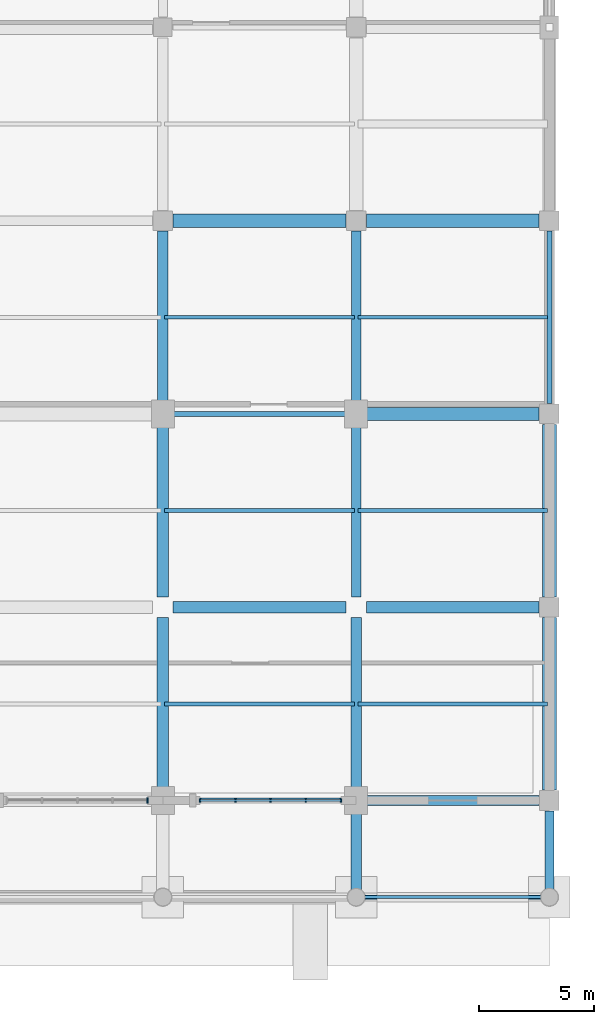
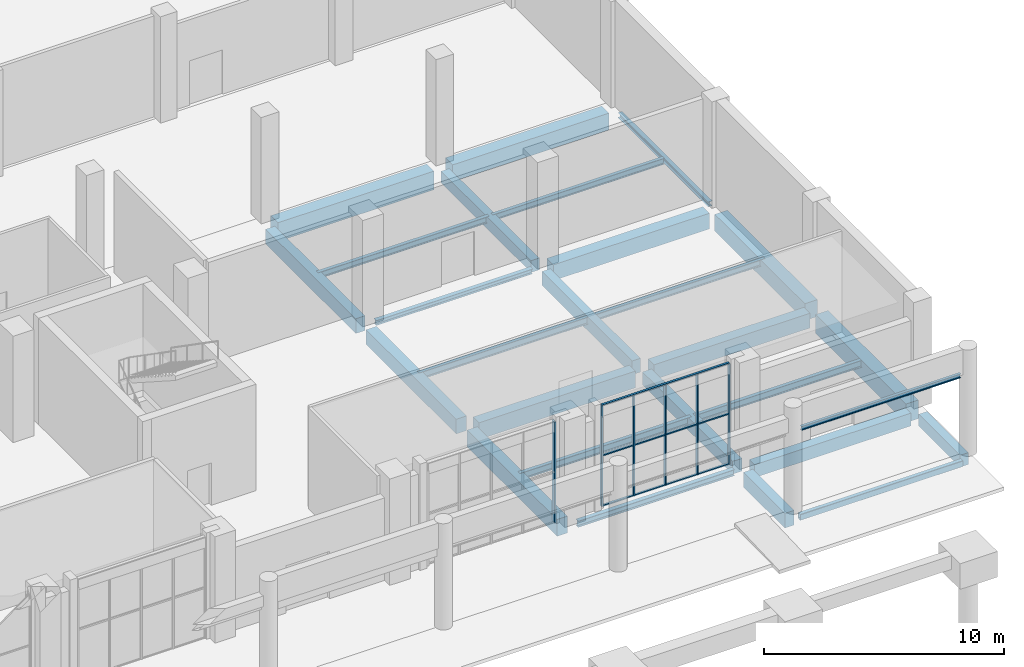
# One storey, part 50 of 82: 27 beams, 9 members, 2 elements without a shape of their own.
"""IFC4 building model written with IfcOpenShell, lengths in metres."""

from ifc_helpers import new_model, si_unit, derived_unit, direction, frame, origin, origin_2d, place, context, subcontext, project, spatial, rectangle, hollow_rectangle, i_section, extrude, material, material_profile, profile_set, type_object, element, aggregate, save


model = new_model("IFC4")

# Units and contexts
model_context = context("Model", 3, precision=1e-05, world=origin(), true_north=direction((0.0, 1.0)))
body_context = subcontext(model_context, "Body", "Model", "MODEL_VIEW")
ifc_project = project(units=[si_unit("LENGTHUNIT", "METRE"), si_unit("AREAUNIT", "SQUARE_METRE"), si_unit("VOLUMEUNIT", "CUBIC_METRE"), si_unit("PLANEANGLEUNIT", "RADIAN"), si_unit("MASSUNIT", "GRAM", prefix="KILO"), derived_unit("THERMALTRANSMITTANCEUNIT", [(si_unit("POWERUNIT", "WATT"), 1), (si_unit("LENGTHUNIT", "METRE"), -2), (si_unit("THERMODYNAMICTEMPERATUREUNIT", "KELVIN"), -1)])], contexts=[model_context])

# Site, building, storey
site_placement = place(None, origin())
site = spatial("IfcSite", under=ifc_project, at=site_placement, CompositionType="ELEMENT")
building_placement = place(site_placement, origin())
building = spatial("IfcBuilding", under=site, at=building_placement, Name="Barrovel Congress Hotel", CompositionType="ELEMENT")
storey_placement = place(building_placement, origin())
storey = spatial("IfcBuildingStorey", under=building, at=storey_placement, Name="L00", CompositionType="ELEMENT", Elevation=0.0)

# Beams
ifc_material_1 = material(Name="Concrete C40", Category="concrete")
ifc_material_profile_1 = material_profile(ifc_material_1, rectangle(XDim=0.39990234375, YDim=0.60009765625, at=origin_2d()), Name="RC400x600")
ifc_profile_set_1 = profile_set([ifc_material_profile_1], Name="Concrete C40")
beam_type_1 = type_object("IfcBeamType", Name="BM-RC400x600", PredefinedType="BEAM", material=ifc_profile_set_1)
beam_1_placement = place(storey_placement, frame((168.0, 21.449951171875, -0.6201171875), z_axis=(0.0, 1.0, 0.0), x_axis=(-1.0, 0.0, 0.0)))
element("IfcBeam", 1, at=beam_1_placement, inside=storey, type_object=beam_type_1, Name="BMY:L00:168.0:21.0-29.4", PredefinedType="BEAM", context=body_context, shape_type="SweptSolid", body=[
    extrude(rectangle(XDim=0.39990234375, YDim=0.60009765625, at=origin_2d()), origin(), (0.0, 0.0, 1.0), 7.5),
])
beam_2_placement = place(storey_placement, frame((176.39990234375, 0.300048828125, -0.6201171875), z_axis=(0.0, 1.0, 0.0), x_axis=(-1.0, 0.0, 0.0)))
element("IfcBeam", 2, at=beam_2_placement, inside=storey, type_object=beam_type_1, Name="BMY:L00:176.4:0.0-4.2", PredefinedType="BEAM", context=body_context, shape_type="SweptSolid", body=[
    extrude(rectangle(XDim=0.39990234375, YDim=0.60009765625, at=origin_2d()), origin(), (0.0, 0.0, 1.0), 3.449951171875),
])
ifc_material_profile_2 = material_profile(ifc_material_1, rectangle(XDim=0.39990234375, YDim=0.699951171875, at=origin_2d()), Name="RC400x700")
ifc_profile_set_2 = profile_set([ifc_material_profile_2], Name="Concrete C40")
beam_type_2 = type_object("IfcBeamType", Name="BM-RC400x700", PredefinedType="BEAM", material=ifc_profile_set_2)
beam_3_placement = place(storey_placement, frame((168.0, 13.050048828125, -0.669921875), z_axis=(0.0, 1.0, 0.0), x_axis=(-1.0, 0.0, 0.0)))
element("IfcBeam", 3, at=beam_3_placement, inside=storey, type_object=beam_type_2, Name="BMY:L00:168.0:12.6-21.0", PredefinedType="BEAM", context=body_context, shape_type="SweptSolid", body=[
    extrude(rectangle(XDim=0.39990234375, YDim=0.699951171875, at=origin_2d()), origin(), (0.0, 0.0, 1.0), 7.5),
])
ifc_material_profile_3 = material_profile(ifc_material_1, rectangle(XDim=0.449951171875, YDim=0.64990234375, at=origin_2d()), Name="RC450x650")
ifc_profile_set_3 = profile_set([ifc_material_profile_3], Name="Concrete C40")
beam_type_3 = type_object("IfcBeamType", Name="BM-RC450x650", PredefinedType="BEAM", material=ifc_profile_set_3)
for number, where, z_axis, x_axis, name in (
    (4, (168.449951171875, 4.199951171875, -0.64501953125), (1.0, 0.0, 0.0), (0.0, 1.0, 0.0), "BMX:L00:4.2:168.0-176.4"),
    (5, (168.0, 4.64990234375, -0.64501953125), (0.0, 1.0, 0.0), (-1.0, 0.0, 0.0), "BMY:L00:168.0:4.2-12.6"),
):
    element("IfcBeam", number, at=place(storey_placement, frame(where, z_axis=z_axis, x_axis=x_axis)), inside=storey, type_object=beam_type_3, Name=name, PredefinedType="BEAM", context=body_context, shape_type="SweptSolid", body=[
        extrude(rectangle(XDim=0.449951171875, YDim=0.64990234375, at=origin_2d()), origin(), (0.0, 0.0, 1.0), 7.5),
    ])
ifc_material_profile_4 = material_profile(ifc_material_1, rectangle(XDim=0.449951171875, YDim=0.75, at=origin_2d()), Name="RC450x750")
ifc_profile_set_4 = profile_set([ifc_material_profile_4], Name="Concrete C40")
beam_type_4 = type_object("IfcBeamType", Name="BM-RC450x750", PredefinedType="BEAM", material=ifc_profile_set_4)
beam_4_placement = place(storey_placement, frame((159.60009765625, 21.449951171875, -0.695068359375), z_axis=(0.0, 1.0, 0.0), x_axis=(-1.0, 0.0, 0.0)))
element("IfcBeam", 6, at=beam_4_placement, inside=storey, type_object=beam_type_4, Name="BMY:L00:159.6:21.0-29.4", PredefinedType="BEAM", context=body_context, shape_type="SweptSolid", body=[
    extrude(rectangle(XDim=0.449951171875, YDim=0.75, at=origin_2d()), origin(), (0.0, 0.0, 1.0), 7.5),
])
beam_5_placement = place(storey_placement, frame((168.0, 0.300048828125, -0.695068359375), z_axis=(0.0, 1.0, 0.0), x_axis=(-1.0, 0.0, 0.0)))
element("IfcBeam", 7, at=beam_5_placement, inside=storey, type_object=beam_type_4, Name="BMY:L00:168.0:0.0-4.2", PredefinedType="BEAM", context=body_context, shape_type="SweptSolid", body=[
    extrude(rectangle(XDim=0.449951171875, YDim=0.75, at=origin_2d()), origin(), (0.0, 0.0, 1.0), 3.449951171875),
])
ifc_material_profile_5 = material_profile(ifc_material_1, rectangle(XDim=0.5, YDim=0.75, at=origin_2d()), Name="RC500x750")
ifc_profile_set_5 = profile_set([ifc_material_profile_5], Name="Concrete C40")
beam_type_5 = type_object("IfcBeamType", Name="BM-RC500x750", PredefinedType="BEAM", material=ifc_profile_set_5)
for number, where, z_axis, x_axis, name in (
    (8, (168.449951171875, 12.60009765625, -0.695068359375), (1.0, 0.0, 0.0), (0.0, 1.0, 0.0), "BMX:L00:12.6:168.0-176.4"),
    (9, (159.60009765625, 13.050048828125, -0.695068359375), (0.0, 1.0, 0.0), (-1.0, 0.0, 0.0), "BMY:L00:159.6:12.6-21.0"),
):
    element("IfcBeam", number, at=place(storey_placement, frame(where, z_axis=z_axis, x_axis=x_axis)), inside=storey, type_object=beam_type_5, Name=name, PredefinedType="BEAM", context=body_context, shape_type="SweptSolid", body=[
        extrude(rectangle(XDim=0.5, YDim=0.75, at=origin_2d()), origin(), (0.0, 0.0, 1.0), 7.5),
    ])
ifc_material_profile_6 = material_profile(ifc_material_1, rectangle(XDim=0.5, YDim=0.85009765625, at=origin_2d()), Name="RC500x850")
ifc_profile_set_6 = profile_set([ifc_material_profile_6], Name="Concrete C40")
beam_type_6 = type_object("IfcBeamType", Name="BM-RC500x850", PredefinedType="BEAM", material=ifc_profile_set_6)
for number, where, z_axis, x_axis, name in (
    (10, (160.050048828125, 12.60009765625, -0.7451171875), (1.0, 0.0, 0.0), (0.0, 1.0, 0.0), "BMX:L00:12.6:159.6-168.0"),
    (11, (159.60009765625, 4.64990234375, -0.7451171875), (0.0, 1.0, 0.0), (-1.0, 0.0, 0.0), "BMY:L00:159.6:4.2-12.6"),
):
    element("IfcBeam", number, at=place(storey_placement, frame(where, z_axis=z_axis, x_axis=x_axis)), inside=storey, type_object=beam_type_6, Name=name, PredefinedType="BEAM", context=body_context, shape_type="SweptSolid", body=[
        extrude(rectangle(XDim=0.5, YDim=0.85009765625, at=origin_2d()), origin(), (0.0, 0.0, 1.0), 7.5),
    ])
ifc_material_profile_7 = material_profile(ifc_material_1, rectangle(XDim=0.550048828125, YDim=0.800048828125, at=origin_2d()), Name="RC550x800")
ifc_profile_set_7 = profile_set([ifc_material_profile_7], Name="Concrete C40")
beam_type_7 = type_object("IfcBeamType", Name="BM-RC550x800", PredefinedType="BEAM", material=ifc_profile_set_7)
beam_6_placement = place(storey_placement, frame((168.449951171875, 21.0, -0.719970703125), z_axis=(1.0, 0.0, 0.0), x_axis=(0.0, 1.0, 0.0)))
element("IfcBeam", 12, at=beam_6_placement, inside=storey, type_object=beam_type_7, Name="BMX:L00:21.0:168.0-176.4", PredefinedType="BEAM", context=body_context, shape_type="SweptSolid", body=[
    extrude(rectangle(XDim=0.550048828125, YDim=0.800048828125, at=origin_2d()), origin(), (0.0, 0.0, 1.0), 7.5),
])
ifc_material_profile_8 = material_profile(ifc_material_1, rectangle(XDim=0.60009765625, YDim=0.85009765625, at=origin_2d()), Name="RC600x850")
ifc_profile_set_8 = profile_set([ifc_material_profile_8], Name="Concrete C40")
beam_type_8 = type_object("IfcBeamType", Name="BM-RC600x850", PredefinedType="BEAM", material=ifc_profile_set_8)
for number, where, z_axis, x_axis, name in (
    (13, (168.449951171875, 29.39990234375, -0.7451171875), (1.0, 0.0, 0.0), (0.0, 1.0, 0.0), "BMX:L00:29.4:168.0-176.4"),
    (14, (176.39990234375, 13.050048828125, -0.7451171875), (0.0, 1.0, 0.0), (-1.0, 0.0, 0.0), "BMY:L00:176.4:12.6-21.0"),
):
    element("IfcBeam", number, at=place(storey_placement, frame(where, z_axis=z_axis, x_axis=x_axis)), inside=storey, type_object=beam_type_8, Name=name, PredefinedType="BEAM", context=body_context, shape_type="SweptSolid", body=[
        extrude(rectangle(XDim=0.60009765625, YDim=0.85009765625, at=origin_2d()), origin(), (0.0, 0.0, 1.0), 7.5),
    ])
ifc_material_profile_9 = material_profile(ifc_material_1, rectangle(XDim=0.60009765625, YDim=0.949951171875, at=origin_2d()), Name="RC600x950")
ifc_profile_set_9 = profile_set([ifc_material_profile_9], Name="Concrete C40")
beam_type_9 = type_object("IfcBeamType", Name="BM-RC600x950", PredefinedType="BEAM", material=ifc_profile_set_9)
for number, where, z_axis, x_axis, name in (
    (15, (160.050048828125, 29.39990234375, -0.794921875), (1.0, 0.0, 0.0), (0.0, 1.0, 0.0), "BMX:L00:29.4:159.6-168.0"),
    (16, (176.39990234375, 4.64990234375, -0.794921875), (0.0, 1.0, 0.0), (-1.0, 0.0, 0.0), "BMY:L00:176.4:4.2-12.6"),
):
    element("IfcBeam", number, at=place(storey_placement, frame(where, z_axis=z_axis, x_axis=x_axis)), inside=storey, type_object=beam_type_9, Name=name, PredefinedType="BEAM", context=body_context, shape_type="SweptSolid", body=[
        extrude(rectangle(XDim=0.60009765625, YDim=0.949951171875, at=origin_2d()), origin(), (0.0, 0.0, 1.0), 7.5),
    ])

# Curtain wall, members
ifc_material_2 = material(Name="Anodised Aluminium Alloy 6063-T6", Category="aluminium")
curtain_wall_type = type_object("IfcCurtainWallType", Name="CW-ST-7200x4800", PredefinedType="USERDEFINED", material=ifc_material_2)
curtain_wall_1_placement = place(storey_placement, origin())
curtain_wall_1 = element("IfcCurtainWall", 17, at=curtain_wall_1_placement, inside=storey, type_object=curtain_wall_type, Name="CW:L00:S:19", ObjectType="STICK CURTAIN WALL", PredefinedType="USERDEFINED")
ifc_material_profile_10 = material_profile(ifc_material_2, rectangle(XDim=0.06005859375, YDim=0.139892578125, at=origin_2d()), Name="AL-M60x140")
ifc_profile_set_10 = profile_set([ifc_material_profile_10], Name="Anodised Aluminium Alloy 6063-T6")
member_type_1 = type_object("IfcMemberType", Name="CWM-AL-M60x140", PredefinedType="MULLION", material=ifc_profile_set_10)
member_1_placement = place(storey_placement, frame((161.219970703125, 4.199951171875, 0.0), z_axis=(0.0, 0.0, 1.0), x_axis=(1.0, 0.0, 0.0)))
member_1 = element("IfcMember", 18, at=member_1_placement, type_object=member_type_1, Name="CW:L00:S:19:M0", PredefinedType="MULLION", context=body_context, shape_type="SweptSolid", body=[
    extrude(rectangle(XDim=0.06005859375, YDim=0.139892578125, at=origin_2d()), origin(), (0.0, 0.0, 1.0), 5.1201171875),
])
member_2_placement = place(storey_placement, frame((162.75, 4.199951171875, 0.0), z_axis=(0.0, 0.0, 1.0), x_axis=(1.0, 0.0, 0.0)))
member_2 = element("IfcMember", 19, at=member_2_placement, type_object=member_type_1, Name="CW:L00:S:19:M1", PredefinedType="MULLION", context=body_context, shape_type="SweptSolid", body=[
    extrude(rectangle(XDim=0.06005859375, YDim=0.139892578125, at=origin_2d()), origin(), (0.0, 0.0, 1.0), 5.1201171875),
])
member_3_placement = place(storey_placement, frame((164.280029296875, 4.199951171875, 0.0), z_axis=(0.0, 0.0, 1.0), x_axis=(1.0, 0.0, 0.0)))
member_3 = element("IfcMember", 20, at=member_3_placement, type_object=member_type_1, Name="CW:L00:S:19:M2", PredefinedType="MULLION", context=body_context, shape_type="SweptSolid", body=[
    extrude(rectangle(XDim=0.06005859375, YDim=0.139892578125, at=origin_2d()), origin(), (0.0, 0.0, 1.0), 5.1201171875),
])
member_4_placement = place(storey_placement, frame((165.81005859375, 4.199951171875, 0.0), z_axis=(0.0, 0.0, 1.0), x_axis=(1.0, 0.0, 0.0)))
member_4 = element("IfcMember", 21, at=member_4_placement, type_object=member_type_1, Name="CW:L00:S:19:M3", PredefinedType="MULLION", context=body_context, shape_type="SweptSolid", body=[
    extrude(rectangle(XDim=0.06005859375, YDim=0.139892578125, at=origin_2d()), origin(), (0.0, 0.0, 1.0), 5.1201171875),
])
member_5_placement = place(storey_placement, frame((167.340087890625, 4.199951171875, 0.0), z_axis=(0.0, 0.0, 1.0), x_axis=(1.0, 0.0, 0.0)))
member_5 = element("IfcMember", 22, at=member_5_placement, type_object=member_type_1, Name="CW:L00:S:19:M4", PredefinedType="MULLION", context=body_context, shape_type="SweptSolid", body=[
    extrude(rectangle(XDim=0.06005859375, YDim=0.139892578125, at=origin_2d()), origin(), (0.0, 0.0, 1.0), 5.1201171875),
])

# Curtain wall, member
curtain_wall_2_placement = place(storey_placement, origin())
curtain_wall_2 = element("IfcCurtainWall", 23, at=curtain_wall_2_placement, inside=storey, type_object=curtain_wall_type, Name="CW:L00:S:18", ObjectType="STICK CURTAIN WALL", PredefinedType="USERDEFINED")
ifc_material_profile_11 = material_profile(ifc_material_2, rectangle(XDim=0.06494140625, YDim=0.219970703125, at=origin_2d()), Name="AL-M65x220")
ifc_profile_set_11 = profile_set([ifc_material_profile_11], Name="Anodised Aluminium Alloy 6063-T6")
member_type_2 = type_object("IfcMemberType", Name="CWM-AL-M65x220", PredefinedType="MULLION", material=ifc_profile_set_11)
member_6_placement = place(storey_placement, frame((158.93994140625, 4.199951171875, 0.0), z_axis=(0.0, 0.0, 1.0), x_axis=(1.0, 0.0, 0.0)))
member_6 = element("IfcMember", 24, at=member_6_placement, type_object=member_type_2, Name="CW:L00:S:18:M4", PredefinedType="MULLION", context=body_context, shape_type="SweptSolid", body=[
    extrude(rectangle(XDim=0.06494140625, YDim=0.219970703125, at=origin_2d()), origin(), (0.0, 0.0, 1.0), 5.1201171875),
])
aggregate(curtain_wall_2, [member_6])

# Member
ifc_material_profile_12 = material_profile(ifc_material_2, rectangle(XDim=0.10498046875, YDim=0.06005859375, at=origin_2d()), Name="AL-T60x105")
ifc_profile_set_12 = profile_set([ifc_material_profile_12], Name="Anodised Aluminium Alloy 6063-T6")
member_type_3 = type_object("IfcMemberType", Name="CWT-AL-T60x105", PredefinedType="USERDEFINED", material=ifc_profile_set_12)
member_7_placement = place(storey_placement, frame((161.219970703125, 4.199951171875, 0.0), z_axis=(1.0, 0.0, 0.0), x_axis=(0.0, 1.0, 0.0)))
member_7 = element("IfcMember", 25, at=member_7_placement, type_object=member_type_3, Name="CW:L00:S:19:T0", ObjectType="TRANSOM", PredefinedType="USERDEFINED", context=body_context, shape_type="SweptSolid", body=[
    extrude(rectangle(XDim=0.10498046875, YDim=0.06005859375, at=origin_2d()), origin(), (0.0, 0.0, 1.0), 6.1201171875),
])

member_8_placement = place(storey_placement, frame((161.219970703125, 4.199951171875, 2.56005859375), z_axis=(1.0, 0.0, 0.0), x_axis=(0.0, 1.0, 0.0)))
member_8 = element("IfcMember", 26, at=member_8_placement, type_object=member_type_3, Name="CW:L00:S:19:T1", ObjectType="TRANSOM", PredefinedType="USERDEFINED", context=body_context, shape_type="SweptSolid", body=[
    extrude(rectangle(XDim=0.10498046875, YDim=0.06005859375, at=origin_2d()), origin(), (0.0, 0.0, 1.0), 6.1201171875),
])

member_9_placement = place(storey_placement, frame((161.219970703125, 4.199951171875, 5.1201171875), z_axis=(1.0, 0.0, 0.0), x_axis=(0.0, 1.0, 0.0)))
member_9 = element("IfcMember", 27, at=member_9_placement, type_object=member_type_3, Name="CW:L00:S:19:T2", ObjectType="TRANSOM", PredefinedType="USERDEFINED", context=body_context, shape_type="SweptSolid", body=[
    extrude(rectangle(XDim=0.10498046875, YDim=0.06005859375, at=origin_2d()), origin(), (0.0, 0.0, 1.0), 6.1201171875),
])

aggregate(curtain_wall_1, [member_1, member_2, member_3, member_4, member_5, member_7, member_8, member_9])

# Beams
ifc_material_3 = material(Name="Steel ASTM A500 Grade C", Category="steel")
ifc_material_profile_13 = material_profile(ifc_material_3, hollow_rectangle(XDim=0.203125, YDim=0.3046875, WallThickness=0.01171875, InnerFilletRadius=0.01171875, OuterFilletRadius=0.023681640625, at=origin_2d()), Name="HSS305x203x12.7")
ifc_profile_set_13 = profile_set([ifc_material_profile_13], Name="Steel ASTM A500 Grade C")
beam_type_10 = type_object("IfcBeamType", Name="SBM-HSS305x203x12.7", PredefinedType="SPANDREL", material=ifc_profile_set_13)
beam_7_placement = place(storey_placement, frame((168.300048828125, 0.0, -0.472412109375), z_axis=(1.0, 0.0, 0.0), x_axis=(0.0, 1.0, 0.0)))
element("IfcBeam", 28, at=beam_7_placement, inside=storey, type_object=beam_type_10, Name="BMX:L00:0.0:168.0-176.4", PredefinedType="SPANDREL", context=body_context, shape_type="SweptSolid", body=[
    extrude(hollow_rectangle(XDim=0.203125, YDim=0.3046875, WallThickness=0.01171875, InnerFilletRadius=0.01171875, OuterFilletRadius=0.023681640625, at=origin_2d()), origin(), (0.0, 0.0, 1.0), 7.800048828125),
])
ifc_material_4 = material(Name="Steel ASTM A992 Grade 50", Category="steel")
ifc_material_profile_14 = material_profile(ifc_material_4, i_section(OverallWidth=0.133056640625, OverallDepth=0.20703125, WebThickness=0.005859375, FlangeThickness=0.00830078125, FilletRadius=0.010009765625, at=origin_2d()), Name="W200x27")
ifc_profile_set_14 = profile_set([ifc_material_profile_14], Name="Steel ASTM A992 Grade 50")
beam_type_11 = type_object("IfcBeamType", Name="SBM-W200x27", PredefinedType="LINTEL", material=ifc_profile_set_14)
beam_8_placement = place(storey_placement, frame((168.375, 0.0, 3.99658203125), z_axis=(1.0, 0.0, 0.0), x_axis=(0.0, 1.0, 0.0)))
element("IfcBeam", 29, at=beam_8_placement, inside=storey, type_object=beam_type_11, Name="LIN:L00:168.0-176.4", PredefinedType="LINTEL", context=body_context, shape_type="SweptSolid", body=[
    extrude(i_section(OverallWidth=0.133056640625, OverallDepth=0.20703125, WebThickness=0.005859375, FlangeThickness=0.00830078125, FilletRadius=0.010009765625, at=origin_2d()), origin(), (0.0, 0.0, 1.0), 7.64990234375),
])
ifc_material_profile_15 = material_profile(ifc_material_4, i_section(OverallWidth=0.201904296875, OverallDepth=0.2470703125, WebThickness=0.00732421875, FlangeThickness=0.010986328125, FilletRadius=0.011962890625, at=origin_2d()), Name="W250x49")
ifc_profile_set_15 = profile_set([ifc_material_profile_15], Name="Steel ASTM A992 Grade 50")
beam_type_12 = type_object("IfcBeamType", Name="SBM-W250x49", PredefinedType="SPANDREL", material=ifc_profile_set_15)
for number, where, z_axis, x_axis, name in (
    (30, (160.050048828125, 21.0, -0.443603515625), (1.0, 0.0, 0.0), (0.0, 1.0, 0.0), "BMX:L00:21.0:159.6-168.0"),
    (31, (176.39990234375, 21.449951171875, -0.443603515625), (0.0, 1.0, 0.0), (-1.0, 0.0, 0.0), "BMY:L00:176.4:21.0-29.4"),
):
    element("IfcBeam", number, at=place(storey_placement, frame(where, z_axis=z_axis, x_axis=x_axis)), inside=storey, type_object=beam_type_12, Name=name, PredefinedType="SPANDREL", context=body_context, shape_type="SweptSolid", body=[
        extrude(i_section(OverallWidth=0.201904296875, OverallDepth=0.2470703125, WebThickness=0.00732421875, FlangeThickness=0.010986328125, FilletRadius=0.011962890625, at=origin_2d()), origin(), (0.0, 0.0, 1.0), 7.5),
    ])
ifc_material_profile_16 = material_profile(ifc_material_4, i_section(OverallWidth=0.1650390625, OverallDepth=0.31005859375, WebThickness=0.005859375, FlangeThickness=0.009765625, FilletRadius=0.010986328125, at=origin_2d()), Name="W310x39")
ifc_profile_set_16 = profile_set([ifc_material_profile_16], Name="Steel ASTM A992 Grade 50")
beam_type_13 = type_object("IfcBeamType", Name="SBM-W310x39", PredefinedType="JOIST", material=ifc_profile_set_16)
beam_9_placement = place(storey_placement, frame((168.080078125, 25.199951171875, -0.47509765625), z_axis=(1.0, 0.0, 0.0), x_axis=(0.0, 1.0, 0.0)))
element("IfcBeam", 32, at=beam_9_placement, inside=storey, type_object=beam_type_13, Name="JST:L00:168.0:25.2", PredefinedType="JOIST", context=body_context, shape_type="SweptSolid", body=[
    extrude(i_section(OverallWidth=0.1650390625, OverallDepth=0.31005859375, WebThickness=0.005859375, FlangeThickness=0.009765625, FilletRadius=0.010986328125, at=origin_2d()), origin(), (0.0, 0.0, 1.0), 8.239990234375),
])
ifc_material_profile_17 = material_profile(ifc_material_4, i_section(OverallWidth=0.1669921875, OverallDepth=0.31689453125, WebThickness=0.007568359375, FlangeThickness=0.01318359375, FilletRadius=0.010986328125, at=origin_2d()), Name="W310x52")
ifc_profile_set_17 = profile_set([ifc_material_profile_17], Name="Steel ASTM A992 Grade 50")
beam_type_14 = type_object("IfcBeamType", Name="SBM-W310x52", PredefinedType="JOIST", material=ifc_profile_set_17)
for number, where, z_axis, x_axis, name in (
    (33, (159.679931640625, 25.199951171875, -0.478515625), (1.0, 0.0, 0.0), (0.0, 1.0, 0.0), "JST:L00:159.6:25.2"),
    (34, (168.080078125, 16.800048828125, -0.478515625), (1.0, 0.0, 0.0), (0.0, 1.0, 0.0), "JST:L00:168.0:16.8"),
):
    element("IfcBeam", number, at=place(storey_placement, frame(where, z_axis=z_axis, x_axis=x_axis)), inside=storey, type_object=beam_type_14, Name=name, PredefinedType="JOIST", context=body_context, shape_type="SweptSolid", body=[
        extrude(i_section(OverallWidth=0.1669921875, OverallDepth=0.31689453125, WebThickness=0.007568359375, FlangeThickness=0.01318359375, FilletRadius=0.010986328125, at=origin_2d()), origin(), (0.0, 0.0, 1.0), 8.239990234375),
    ])
ifc_material_profile_18 = material_profile(ifc_material_4, i_section(OverallWidth=0.205078125, OverallDepth=0.31005859375, WebThickness=0.009521484375, FlangeThickness=0.016357421875, FilletRadius=0.012939453125, at=origin_2d()), Name="W310x74")
ifc_profile_set_18 = profile_set([ifc_material_profile_18], Name="Steel ASTM A992 Grade 50")
beam_type_15 = type_object("IfcBeamType", Name="SBM-W310x74", PredefinedType="SPANDREL", material=ifc_profile_set_18)
beam_10_placement = place(storey_placement, frame((160.050048828125, 4.199951171875, -0.47509765625), z_axis=(1.0, 0.0, 0.0), x_axis=(0.0, 1.0, 0.0)))
element("IfcBeam", 35, at=beam_10_placement, inside=storey, type_object=beam_type_15, Name="BMX:L00:4.2:159.6-168.0", PredefinedType="SPANDREL", context=body_context, shape_type="SweptSolid", body=[
    extrude(i_section(OverallWidth=0.205078125, OverallDepth=0.31005859375, WebThickness=0.009521484375, FlangeThickness=0.016357421875, FilletRadius=0.012939453125, at=origin_2d()), origin(), (0.0, 0.0, 1.0), 7.5),
])
ifc_material_profile_19 = material_profile(ifc_material_4, i_section(OverallWidth=0.1708984375, OverallDepth=0.35205078125, WebThickness=0.0068359375, FlangeThickness=0.009765625, FilletRadius=0.011962890625, at=origin_2d()), Name="W360x44")
ifc_profile_set_19 = profile_set([ifc_material_profile_19], Name="Steel ASTM A992 Grade 50")
beam_type_16 = type_object("IfcBeamType", Name="SBM-W360x44", PredefinedType="JOIST", material=ifc_profile_set_19)
for number, where, z_axis, x_axis, name in (
    (36, (159.679931640625, 16.800048828125, -0.49609375), (1.0, 0.0, 0.0), (0.0, 1.0, 0.0), "JST:L00:159.6:16.8"),
    (37, (168.080078125, 8.39990234375, -0.49609375), (1.0, 0.0, 0.0), (0.0, 1.0, 0.0), "JST:L00:168.0:8.4"),
):
    element("IfcBeam", number, at=place(storey_placement, frame(where, z_axis=z_axis, x_axis=x_axis)), inside=storey, type_object=beam_type_16, Name=name, PredefinedType="JOIST", context=body_context, shape_type="SweptSolid", body=[
        extrude(i_section(OverallWidth=0.1708984375, OverallDepth=0.35205078125, WebThickness=0.0068359375, FlangeThickness=0.009765625, FilletRadius=0.011962890625, at=origin_2d()), origin(), (0.0, 0.0, 1.0), 8.239990234375),
    ])
ifc_material_profile_20 = material_profile(ifc_material_4, i_section(OverallWidth=0.172119140625, OverallDepth=0.35791015625, WebThickness=0.0078125, FlangeThickness=0.01318359375, FilletRadius=0.011962890625, at=origin_2d()), Name="W360x57")
ifc_profile_set_20 = profile_set([ifc_material_profile_20], Name="Steel ASTM A992 Grade 50")
beam_type_17 = type_object("IfcBeamType", Name="SBM-W360x57", PredefinedType="JOIST", material=ifc_profile_set_20)
beam_11_placement = place(storey_placement, frame((159.679931640625, 8.39990234375, -0.4990234375), z_axis=(1.0, 0.0, 0.0), x_axis=(0.0, 1.0, 0.0)))
element("IfcBeam", 38, at=beam_11_placement, inside=storey, type_object=beam_type_17, Name="JST:L00:159.6:8.4", PredefinedType="JOIST", context=body_context, shape_type="SweptSolid", body=[
    extrude(i_section(OverallWidth=0.172119140625, OverallDepth=0.35791015625, WebThickness=0.0078125, FlangeThickness=0.01318359375, FilletRadius=0.011962890625, at=origin_2d()), origin(), (0.0, 0.0, 1.0), 8.239990234375),
])

save(model, "model.ifc")
